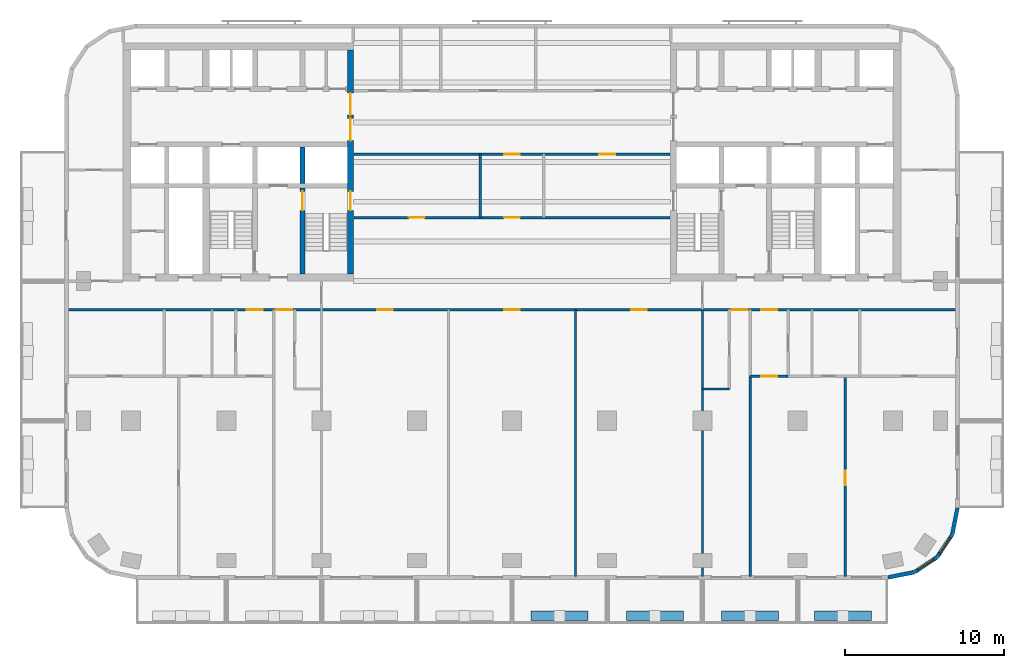
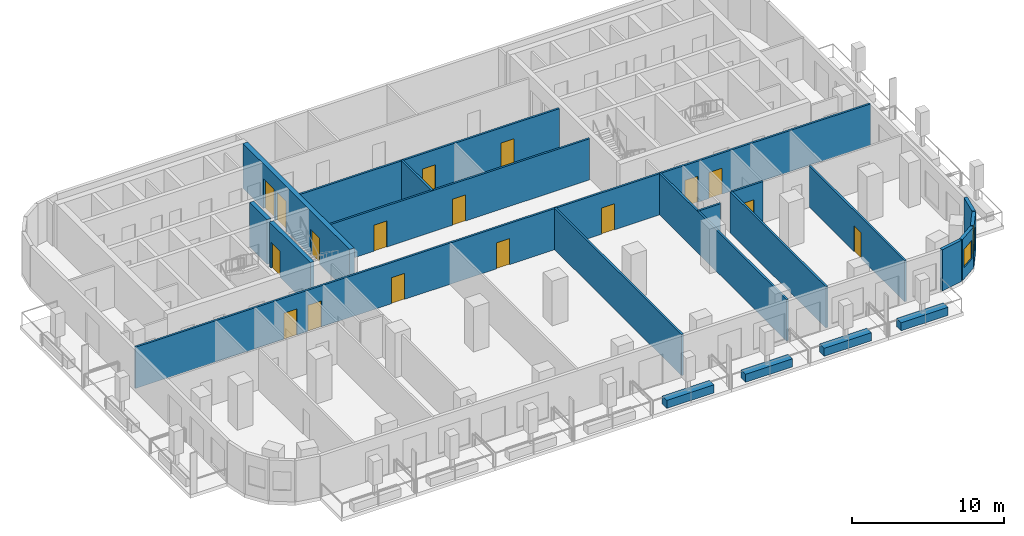
# One storey, part 4 of 11: 21 walls, 17 doors, 2 windows, 19 openings.
"""IFC4 building model written with IfcOpenShell, lengths in metres."""

from ifc_helpers import new_model, si_unit, direction, frame, frame_2d, origin, place, context, subcontext, project, spatial, rectangle, extrude, material, layer, layer_set, type_object, element, fill, save


model = new_model("IFC4")

# Units and contexts
model_context = context("Model", 3, precision=1e-05, world=origin(), true_north=direction((0.0, 1.0)))
body_context = subcontext(model_context, "Body", "Model", "MODEL_VIEW")
ifc_project = project(units=[si_unit("LENGTHUNIT", "METRE"), si_unit("AREAUNIT", "SQUARE_METRE"), si_unit("VOLUMEUNIT", "CUBIC_METRE"), si_unit("PLANEANGLEUNIT", "RADIAN"), si_unit("MASSUNIT", "GRAM", prefix="KILO")], contexts=[model_context])

# Site, building, storey
site_placement = place(None, origin())
site = spatial("IfcSite", under=ifc_project, at=site_placement, CompositionType="ELEMENT")
building_placement = place(site_placement, origin())
building = spatial("IfcBuilding", under=site, at=building_placement, Name="Torana Hotel and Residences", CompositionType="ELEMENT")
storey_placement = place(building_placement, frame((0.0, 0.0, 152.39990234375)))
storey = spatial("IfcBuildingStorey", under=building, at=storey_placement, Name="L39", CompositionType="ELEMENT", Elevation=152.39990234375)

# Wall
ifc_material_1 = material(Name="Concrete C70/85", Category="concrete")
ifc_layer_1 = layer(ifc_material_1, 0.300048828125)
ifc_layer_set_1 = layer_set([ifc_layer_1], Name="CORE WALL 300 C70/85")
wall_type_1 = type_object("IfcWallType", Name="CORE WALL 300 C70/85", PredefinedType="SHEAR", material=ifc_layer_set_1)
wall_1_placement = place(storey_placement, frame((-13.199951171875, -8.85009765625, 0.0), z_axis=(0.0, 0.0, 1.0), x_axis=(0.0, 1.0, 0.0)))
element("IfcWall", 1, at=wall_1_placement, inside=storey, type_object=wall_type_1, Name="Core wall W x3.05-S", PredefinedType="SHEAR", context=body_context, shape_type="SweptSolid", body=[
    extrude(rectangle(XDim=2.300048828125, YDim=0.300048828125, at=frame_2d((1.14990234375, 0.0))), origin(), (0.0, 0.0, 1.0), 3.60009765625),
])

# Wall, opening, door
wall_2_placement = place(storey_placement, frame((-13.199951171875, -14.550048828125, 0.0), z_axis=(0.0, 0.0, 1.0), x_axis=(0.0, 1.0, 0.0)))
wall_2 = element("IfcWall", 2, at=wall_2_placement, inside=storey, type_object=wall_type_1, Name="Core wall W x3.05-band", PredefinedType="SHEAR", context=body_context, shape_type="SweptSolid", body=[
    extrude(rectangle(XDim=5.400146484375, YDim=0.300048828125, at=frame_2d((2.7001953125, 0.0))), origin(), (0.0, 0.0, 1.0), 3.60009765625),
])
opening_1_placement = place(wall_2_placement, frame((4.0, 0.0, 0.0)))
opening_1 = element("IfcOpeningElement", 3, at=opening_1_placement, cuts=wall_2, Name="Opening L39-14", PredefinedType="OPENING", context=body_context, shape_type="SweptSolid", body=[
    extrude(rectangle(XDim=1.199951171875, YDim=2.10009765625, at=frame_2d((0.60009765625, 1.050048828125))), frame((0.0, 0.159912109375, 0.0), z_axis=(0.0, -1.0, 0.0), x_axis=(1.0, 0.0, 0.0)), (0.0, 0.0, 1.0), 0.320068359375),
])
ifc_material_2 = material(Name="Steel S235", Category="steel")
door_type_1 = type_object("IfcDoorType", Name="STAIR FIRE DOOR D3 1200x2100", OperationType="SINGLE_SWING_LEFT", PredefinedType="DOOR", material=ifc_material_2)
door_1_placement = place(opening_1_placement, frame((0.60009765625, 0.0, 0.0), z_axis=(0.0, 0.0, 1.0), x_axis=(-1.0, 0.0, 0.0)))
door_1 = element("IfcDoor", 4, at=door_1_placement, inside=storey, type_object=door_type_1, Name="Stair-A-lobby door L39", OperationType="SINGLE_SWING_RIGHT", OverallHeight=2.10009765625, OverallWidth=1.199951171875, PredefinedType="DOOR", context=body_context, shape_type="SweptSolid", body=[
    extrude(rectangle(XDim=1.199951171875, YDim=2.10009765625, at=frame_2d((0.0, 1.050048828125))), frame((0.0, -0.02490234375, 0.0), z_axis=(0.0, 1.0, 0.0), x_axis=(-1.0, 0.0, 0.0)), (0.0, 0.0, 1.0), 0.050048828125),
])
fill(opening_1, door_1)

# Wall, openings, doors
ifc_material_3 = material(Name="Concrete C70/85", Category="concrete")
ifc_layer_2 = layer(ifc_material_3, 0.35009765625)
ifc_layer_set_2 = layer_set([ifc_layer_2], Name="CORE WALL 350 C70/85")
wall_type_2 = type_object("IfcWallType", Name="CORE WALL 350 C70/85", PredefinedType="SHEAR", material=ifc_layer_set_2)
wall_3_placement = place(storey_placement, frame((-10.175048828125, -14.550048828125, 0.0), z_axis=(0.0, 0.0, 1.0), x_axis=(0.0, 1.0, 0.0)))
wall_3 = element("IfcWall", 5, at=wall_3_placement, inside=storey, type_object=wall_type_2, Name="Core wall W arch", PredefinedType="SHEAR", context=body_context, shape_type="SweptSolid", body=[
    extrude(rectangle(XDim=14.10009765625, YDim=0.35009765625, at=frame_2d((7.050048828125, 0.0))), origin(), (0.0, 0.0, 1.0), 3.60009765625),
])
opening_2_placement = place(wall_3_placement, frame((8.39990234375, 0.0, 0.0)))
opening_2 = element("IfcOpeningElement", 6, at=opening_2_placement, cuts=wall_3, Name="Opening L39-01", PredefinedType="OPENING", context=body_context, shape_type="SweptSolid", body=[
    extrude(rectangle(XDim=1.39990234375, YDim=2.39990234375, at=frame_2d((0.699951171875, 1.199951171875))), frame((0.0, 0.18505859375, 0.0), z_axis=(0.0, -1.0, 0.0), x_axis=(1.0, 0.0, 0.0)), (0.0, 0.0, 1.0), 0.3701171875),
])
opening_3_placement = place(wall_3_placement, frame((10.0, 0.0, 0.0)))
opening_3 = element("IfcOpeningElement", 7, at=opening_3_placement, cuts=wall_3, Name="Opening L39-02", PredefinedType="OPENING", context=body_context, shape_type="SweptSolid", body=[
    extrude(rectangle(XDim=1.39990234375, YDim=2.39990234375, at=frame_2d((0.699951171875, 1.199951171875))), frame((0.0, 0.18505859375, 0.0), z_axis=(0.0, -1.0, 0.0), x_axis=(1.0, 0.0, 0.0)), (0.0, 0.0, 1.0), 0.3701171875),
])
opening_4_placement = place(wall_3_placement, frame((4.0, 0.0, 0.0)))
opening_4 = element("IfcOpeningElement", 8, at=opening_4_placement, cuts=wall_3, Name="Opening L39-03", PredefinedType="OPENING", context=body_context, shape_type="SweptSolid", body=[
    extrude(rectangle(XDim=1.199951171875, YDim=2.10009765625, at=frame_2d((0.60009765625, 1.050048828125))), frame((0.0, 0.18505859375, 0.0), z_axis=(0.0, -1.0, 0.0), x_axis=(1.0, 0.0, 0.0)), (0.0, 0.0, 1.0), 0.3701171875),
])
ifc_material_4 = material(Name="Steel S235", Category="steel")
door_type_2 = type_object("IfcDoorType", Name="LOBBY FIRE DOOR D4 1400x2400", OperationType="DOUBLE_DOOR_SINGLE_SWING", PredefinedType="DOOR", material=ifc_material_4)
door_2_placement = place(opening_2_placement, origin())
door_2 = element("IfcDoor", 9, at=door_2_placement, inside=storey, type_object=door_type_2, Name="Lobby-1 door L39", OperationType="DOUBLE_DOOR_SINGLE_SWING", OverallHeight=2.39990234375, OverallWidth=1.39990234375, PredefinedType="DOOR", context=body_context, shape_type="SweptSolid", body=[
    extrude(rectangle(XDim=1.39990234375, YDim=2.39990234375, at=frame_2d((0.699951171875, 1.199951171875))), frame((0.0, 0.02490234375, 0.0), z_axis=(0.0, -1.0, 0.0), x_axis=(1.0, 0.0, 0.0)), (0.0, 0.0, 1.0), 0.050048828125),
])
fill(opening_2, door_2)
door_3_placement = place(opening_3_placement, origin())
door_3 = element("IfcDoor", 10, at=door_3_placement, inside=storey, type_object=door_type_2, Name="Lobby-2 door L39", OperationType="DOUBLE_DOOR_SINGLE_SWING", OverallHeight=2.39990234375, OverallWidth=1.39990234375, PredefinedType="DOOR", context=body_context, shape_type="SweptSolid", body=[
    extrude(rectangle(XDim=1.39990234375, YDim=2.39990234375, at=frame_2d((0.699951171875, 1.199951171875))), frame((0.0, 0.02490234375, 0.0), z_axis=(0.0, -1.0, 0.0), x_axis=(1.0, 0.0, 0.0)), (0.0, 0.0, 1.0), 0.050048828125),
])
fill(opening_3, door_3)
door_4_placement = place(opening_4_placement, origin())
door_4 = element("IfcDoor", 11, at=door_4_placement, inside=storey, type_object=door_type_1, Name="Stair-A door L39", OperationType="SINGLE_SWING_LEFT", OverallHeight=2.10009765625, OverallWidth=1.199951171875, PredefinedType="DOOR", context=body_context, shape_type="SweptSolid", body=[
    extrude(rectangle(XDim=1.199951171875, YDim=2.10009765625, at=frame_2d((0.60009765625, 1.050048828125))), frame((0.0, 0.02490234375, 0.0), z_axis=(0.0, -1.0, 0.0), x_axis=(1.0, 0.0, 0.0)), (0.0, 0.0, 1.0), 0.050048828125),
])
fill(opening_4, door_4)

# Wall
ifc_material_5 = material(Name="Black aluminium composite panel", Category="aluminium")
ifc_layer_3 = layer(ifc_material_5, 0.00390625, Name="Cladding", Category="cladding")
ifc_material_6 = material(Name="Ventilated air cavity")
ifc_layer_4 = layer(ifc_material_6, 0.0400390625, Name="Ventilated cavity", Category="cavity")
ifc_material_7 = material(Name="Mineral wool insulation")
ifc_layer_5 = layer(ifc_material_7, 0.090087890625, Name="Insulation", Category="insulation")
ifc_material_8 = material(Name="Steel S280GD", Category="steel")
ifc_layer_6 = layer(ifc_material_8, 0.092041015625, Name="Steel stud frame", Category="structure")
ifc_material_9 = material(Name="Fire rated plasterboard")
ifc_layer_7 = layer(ifc_material_9, 0.011962890625, Name="Inner board", Category="finish")
ifc_layer_8 = layer(ifc_material_9, 0.011962890625, Name="Second board", Category="finish")
ifc_layer_set_3 = layer_set([ifc_layer_3, ifc_layer_4, ifc_layer_5, ifc_layer_6, ifc_layer_7, ifc_layer_8], Name="EW1 EXTERNAL WALL BLACK METAL CLAD 250")
wall_type_3 = type_object("IfcWallType", Name="EW1 EXTERNAL WALL BLACK METAL CLAD 250", PredefinedType="SOLIDWALL", material=ifc_layer_set_3)
wall_4_placement = place(storey_placement, frame((23.69970703125, -33.672607421875, 0.0), z_axis=(0.0, 0.0, 1.0), x_axis=(0.980775640221, 0.19513878023, 0.0)))
element("IfcWall", 12, at=wall_4_placement, inside=storey, type_object=wall_type_3, Name="External wall L39 e0.15", PredefinedType="SOLIDWALL", context=body_context, shape_type="SweptSolid", body=[
    extrude(rectangle(XDim=1.681396484375, YDim=0.25, at=frame_2d((0.8408203125, 0.0))), origin(), (0.0, 0.0, 1.0), 3.320068359375),
])

# Wall, opening, window
wall_5_placement = place(storey_placement, frame((25.39404296875, -33.325927734375, 0.0), z_axis=(0.0, 0.0, 1.0), x_axis=(0.831482937015, 0.55555029066, 0.0)))
wall_5 = element("IfcWall", 13, at=wall_5_placement, inside=storey, type_object=wall_type_3, Name="External wall L39 e0.16", PredefinedType="SOLIDWALL", context=body_context, shape_type="SweptSolid", body=[
    extrude(rectangle(XDim=1.65625, YDim=0.25, at=frame_2d((0.828125, 0.0))), origin(), (0.0, 0.0, 1.0), 3.320068359375),
])
opening_5_placement = place(wall_5_placement, frame((0.228271484375, 0.0, 0.89990234375)))
opening_5 = element("IfcOpeningElement", 14, at=opening_5_placement, cuts=wall_5, Name="Opening W5", PredefinedType="OPENING", context=body_context, shape_type="SweptSolid", body=[
    extrude(rectangle(XDim=1.199951171875, YDim=1.5, at=frame_2d((0.60009765625, 0.75))), frame((0.0, 0.135009765625, 0.0), z_axis=(0.0, -1.0, 0.0), x_axis=(1.0, 0.0, 0.0)), (0.0, 0.0, 1.0), 0.27001953125),
])
ifc_material_10 = material(Name="Dark glass in black aluminium frame", Category="aluminium")
window_type = type_object("IfcWindowType", Name="W5 CORNER FACET WINDOW 1200x1500", PartitioningType="SINGLE_PANEL", PredefinedType="WINDOW", material=ifc_material_10)
window_1_placement = place(opening_5_placement, origin())
window_1 = element("IfcWindow", 15, at=window_1_placement, inside=storey, type_object=window_type, Name="Window L39 e0.16", OverallHeight=1.5, OverallWidth=1.199951171875, PartitioningType="SINGLE_PANEL", PredefinedType="WINDOW", context=body_context, shape_type="SweptSolid", body=[
    extrude(rectangle(XDim=1.199951171875, YDim=1.5, at=frame_2d((0.60009765625, 0.75))), frame((0.0, 0.030029296875, 0.0), z_axis=(0.0, -1.0, 0.0), x_axis=(1.0, 0.0, 0.0)), (0.0, 0.0, 1.0), 0.06005859375),
])
fill(opening_5, window_1)

wall_6_placement = place(storey_placement, frame((26.8056640625, -32.37109375, 0.0), z_axis=(0.0, 0.0, 1.0), x_axis=(0.55555029066, 0.831482937015, 0.0)))
wall_6 = element("IfcWall", 16, at=wall_6_placement, inside=storey, type_object=wall_type_3, Name="External wall L39 e0.17", PredefinedType="SOLIDWALL", context=body_context, shape_type="SweptSolid", body=[
    extrude(rectangle(XDim=1.65625, YDim=0.25, at=frame_2d((0.828125, 0.0))), origin(), (0.0, 0.0, 1.0), 3.320068359375),
])
opening_6_placement = place(wall_6_placement, frame((0.228271484375, 0.0, 0.89990234375)))
opening_6 = element("IfcOpeningElement", 17, at=opening_6_placement, cuts=wall_6, Name="Opening W5", PredefinedType="OPENING", context=body_context, shape_type="SweptSolid", body=[
    extrude(rectangle(XDim=1.199951171875, YDim=1.5, at=frame_2d((0.60009765625, 0.75))), frame((0.0, 0.135009765625, 0.0), z_axis=(0.0, -1.0, 0.0), x_axis=(1.0, 0.0, 0.0)), (0.0, 0.0, 1.0), 0.27001953125),
])
window_2_placement = place(opening_6_placement, origin())
window_2 = element("IfcWindow", 18, at=window_2_placement, inside=storey, type_object=window_type, Name="Window L39 e0.17", OverallHeight=1.5, OverallWidth=1.199951171875, PartitioningType="SINGLE_PANEL", PredefinedType="WINDOW", context=body_context, shape_type="SweptSolid", body=[
    extrude(rectangle(XDim=1.199951171875, YDim=1.5, at=frame_2d((0.60009765625, 0.75))), frame((0.0, 0.030029296875, 0.0), z_axis=(0.0, -1.0, 0.0), x_axis=(1.0, 0.0, 0.0)), (0.0, 0.0, 1.0), 0.06005859375),
])
fill(opening_6, window_2)

# Walls
wall_7_placement = place(storey_placement, frame((27.74462890625, -30.948974609375, 0.0), z_axis=(0.0, 0.0, 1.0), x_axis=(0.194999110559, 0.980803419081, 0.0)))
element("IfcWall", 19, at=wall_7_placement, inside=storey, type_object=wall_type_3, Name="External wall L39 e0.18", PredefinedType="SOLIDWALL", context=body_context, shape_type="SweptSolid", body=[
    extrude(rectangle(XDim=1.681396484375, YDim=0.25, at=frame_2d((0.8408203125, 0.0))), origin(), (0.0, 0.0, 1.0), 3.320068359375),
])
ifc_material_11 = material(Name="Gypsum plaster")
ifc_layer_9 = layer(ifc_material_11, 0.014892578125, Name="Plaster", Category="finish")
ifc_material_12 = material(Name="Concrete blockwork", Category="masonry")
ifc_layer_10 = layer(ifc_material_12, 0.1201171875, Name="Blockwork", Category="structure")
ifc_layer_11 = layer(ifc_material_11, 0.014892578125, Name="Plaster", Category="finish")
ifc_layer_set_4 = layer_set([ifc_layer_9, ifc_layer_10, ifc_layer_11], Name="FIRE PARTITION 150 BLOCKWORK")
wall_type_4 = type_object("IfcWallType", Name="FIRE PARTITION 150 BLOCKWORK", PredefinedType="PARTITIONING", material=ifc_layer_set_4)
wall_8_placement = place(storey_placement, frame((-2.0, -11.0, 0.0), z_axis=(0.0, 0.0, 1.0), x_axis=(0.0, 1.0, 0.0)))
element("IfcWall", 20, at=wall_8_placement, inside=storey, type_object=wall_type_4, Name="Partition L39", PredefinedType="PARTITIONING", context=body_context, shape_type="SweptSolid", body=[
    extrude(rectangle(XDim=4.0, YDim=0.14990234375, at=frame_2d((2.0, 0.0))), origin(), (0.0, 0.0, 1.0), 3.320068359375),
])

# Wall, opening, door
wall_9_placement = place(storey_placement, frame((15.0, -21.0, 0.0), z_axis=(0.0, 0.0, 1.0), x_axis=(1.0, 0.0, 0.0)))
wall_9 = element("IfcWall", 21, at=wall_9_placement, inside=storey, type_object=wall_type_4, Name="Partition L39", PredefinedType="PARTITIONING", context=body_context, shape_type="SweptSolid", body=[
    extrude(rectangle(XDim=2.39990234375, YDim=0.14990234375, at=frame_2d((1.199951171875, 0.0))), origin(), (0.0, 0.0, 1.0), 3.320068359375),
])
opening_7_placement = place(wall_9_placement, frame((0.699951171875, 0.0, 0.0)))
opening_7 = element("IfcOpeningElement", 22, at=opening_7_placement, cuts=wall_9, Name="Opening L39-60", PredefinedType="OPENING", context=body_context, shape_type="SweptSolid", body=[
    extrude(rectangle(XDim=1.0, YDim=2.10009765625, at=frame_2d((0.5, 1.050048828125))), frame((0.0, 0.0849609375, 0.0), z_axis=(0.0, -1.0, 0.0), x_axis=(1.0, 0.0, 0.0)), (0.0, 0.0, 1.0), 0.169921875),
])
ifc_material_13 = material(Name="Steel S235", Category="steel")
door_type_3 = type_object("IfcDoorType", Name="ENTRY FIRE DOOR D6 1000x2100", OperationType="SINGLE_SWING_LEFT", PredefinedType="DOOR", material=ifc_material_13)
door_5_placement = place(opening_7_placement, frame((0.5, 0.0, 0.0), z_axis=(0.0, 0.0, 1.0), x_axis=(-1.0, 0.0, 0.0)))
door_5 = element("IfcDoor", 23, at=door_5_placement, inside=storey, type_object=door_type_3, Name="Door L39", OperationType="SINGLE_SWING_LEFT", OverallHeight=2.10009765625, OverallWidth=1.0, PredefinedType="DOOR", context=body_context, shape_type="SweptSolid", body=[
    extrude(rectangle(XDim=1.0, YDim=2.10009765625, at=frame_2d((0.0, 1.050048828125))), frame((0.0, -0.02490234375, 0.0), z_axis=(0.0, 1.0, 0.0), x_axis=(-1.0, 0.0, 0.0)), (0.0, 0.0, 1.0), 0.050048828125),
])
fill(opening_7, door_5)

# Wall, openings, doors
wall_10_placement = place(storey_placement, frame((-28.02001953125, -16.800048828125, 0.0), z_axis=(0.0, 0.0, 1.0), x_axis=(1.0, 0.0, 0.0)))
wall_10 = element("IfcWall", 24, at=wall_10_placement, inside=storey, type_object=wall_type_4, Name="Partition L39", PredefinedType="PARTITIONING", context=body_context, shape_type="SweptSolid", body=[
    extrude(rectangle(XDim=56.0400390625, YDim=0.14990234375, at=frame_2d((28.02001953125, 0.0))), origin(), (0.0, 0.0, 1.0), 3.320068359375),
])
opening_8_placement = place(wall_10_placement, frame((13.169921875, 0.0, 0.0)))
opening_8 = element("IfcOpeningElement", 25, at=opening_8_placement, cuts=wall_10, Name="Opening L39-34", PredefinedType="OPENING", context=body_context, shape_type="SweptSolid", body=[
    extrude(rectangle(XDim=1.0, YDim=2.10009765625, at=frame_2d((0.5, 1.050048828125))), frame((0.0, 0.0849609375, 0.0), z_axis=(0.0, -1.0, 0.0), x_axis=(1.0, 0.0, 0.0)), (0.0, 0.0, 1.0), 0.169921875),
])
opening_9_placement = place(wall_10_placement, frame((11.320068359375, 0.0, 0.0)))
opening_9 = element("IfcOpeningElement", 26, at=opening_9_placement, cuts=wall_10, Name="Opening L39-35", PredefinedType="OPENING", context=body_context, shape_type="SweptSolid", body=[
    extrude(rectangle(XDim=1.0, YDim=2.10009765625, at=frame_2d((0.5, 1.050048828125))), frame((0.0, 0.0849609375, 0.0), z_axis=(0.0, -1.0, 0.0), x_axis=(1.0, 0.0, 0.0)), (0.0, 0.0, 1.0), 0.169921875),
])
opening_10_placement = place(wall_10_placement, frame((41.8701171875, 0.0, 0.0)))
opening_10 = element("IfcOpeningElement", 27, at=opening_10_placement, cuts=wall_10, Name="Opening L39-38", PredefinedType="OPENING", context=body_context, shape_type="SweptSolid", body=[
    extrude(rectangle(XDim=1.0, YDim=2.10009765625, at=frame_2d((0.5, 1.050048828125))), frame((0.0, 0.0849609375, 0.0), z_axis=(0.0, -1.0, 0.0), x_axis=(1.0, 0.0, 0.0)), (0.0, 0.0, 1.0), 0.169921875),
])
opening_11_placement = place(wall_10_placement, frame((43.719970703125, 0.0, 0.0)))
opening_11 = element("IfcOpeningElement", 28, at=opening_11_placement, cuts=wall_10, Name="Opening L39-39", PredefinedType="OPENING", context=body_context, shape_type="SweptSolid", body=[
    extrude(rectangle(XDim=1.0, YDim=2.10009765625, at=frame_2d((0.5, 1.050048828125))), frame((0.0, 0.0849609375, 0.0), z_axis=(0.0, -1.0, 0.0), x_axis=(1.0, 0.0, 0.0)), (0.0, 0.0, 1.0), 0.169921875),
])
opening_12_placement = place(wall_10_placement, frame((19.52001953125, 0.0, 0.0)))
opening_12 = element("IfcOpeningElement", 29, at=opening_12_placement, cuts=wall_10, Name="Opening L39-42", PredefinedType="OPENING", context=body_context, shape_type="SweptSolid", body=[
    extrude(rectangle(XDim=1.0, YDim=2.10009765625, at=frame_2d((0.5, 1.050048828125))), frame((0.0, 0.0849609375, 0.0), z_axis=(0.0, -1.0, 0.0), x_axis=(1.0, 0.0, 0.0)), (0.0, 0.0, 1.0), 0.169921875),
])
opening_13_placement = place(wall_10_placement, frame((27.52001953125, 0.0, 0.0)))
opening_13 = element("IfcOpeningElement", 30, at=opening_13_placement, cuts=wall_10, Name="Opening L39-43", PredefinedType="OPENING", context=body_context, shape_type="SweptSolid", body=[
    extrude(rectangle(XDim=1.0, YDim=2.10009765625, at=frame_2d((0.5, 1.050048828125))), frame((0.0, 0.0849609375, 0.0), z_axis=(0.0, -1.0, 0.0), x_axis=(1.0, 0.0, 0.0)), (0.0, 0.0, 1.0), 0.169921875),
])
opening_14_placement = place(wall_10_placement, frame((35.52001953125, 0.0, 0.0)))
opening_14 = element("IfcOpeningElement", 31, at=opening_14_placement, cuts=wall_10, Name="Opening L39-44", PredefinedType="OPENING", context=body_context, shape_type="SweptSolid", body=[
    extrude(rectangle(XDim=1.0, YDim=2.10009765625, at=frame_2d((0.5, 1.050048828125))), frame((0.0, 0.0849609375, 0.0), z_axis=(0.0, -1.0, 0.0), x_axis=(1.0, 0.0, 0.0)), (0.0, 0.0, 1.0), 0.169921875),
])
door_6_placement = place(opening_8_placement, frame((0.5, 0.0, 0.0), z_axis=(0.0, 0.0, 1.0), x_axis=(-1.0, 0.0, 0.0)))
door_6 = element("IfcDoor", 32, at=door_6_placement, inside=storey, type_object=door_type_3, Name="Door L39", OperationType="SINGLE_SWING_LEFT", OverallHeight=2.10009765625, OverallWidth=1.0, PredefinedType="DOOR", context=body_context, shape_type="SweptSolid", body=[
    extrude(rectangle(XDim=1.0, YDim=2.10009765625, at=frame_2d((0.0, 1.050048828125))), frame((0.0, -0.02490234375, 0.0), z_axis=(0.0, 1.0, 0.0), x_axis=(-1.0, 0.0, 0.0)), (0.0, 0.0, 1.0), 0.050048828125),
])
fill(opening_8, door_6)
door_7_placement = place(opening_9_placement, origin())
door_7 = element("IfcDoor", 33, at=door_7_placement, inside=storey, type_object=door_type_3, Name="Door L39", OperationType="SINGLE_SWING_RIGHT", OverallHeight=2.10009765625, OverallWidth=1.0, PredefinedType="DOOR", context=body_context, shape_type="SweptSolid", body=[
    extrude(rectangle(XDim=1.0, YDim=2.10009765625, at=frame_2d((0.5, 1.050048828125))), frame((0.0, 0.02490234375, 0.0), z_axis=(0.0, -1.0, 0.0), x_axis=(1.0, 0.0, 0.0)), (0.0, 0.0, 1.0), 0.050048828125),
])
fill(opening_9, door_7)
door_8_placement = place(opening_10_placement, frame((0.5, 0.0, 0.0), z_axis=(0.0, 0.0, 1.0), x_axis=(-1.0, 0.0, 0.0)))
door_8 = element("IfcDoor", 34, at=door_8_placement, inside=storey, type_object=door_type_3, Name="Door L39", OperationType="SINGLE_SWING_LEFT", OverallHeight=2.10009765625, OverallWidth=1.0, PredefinedType="DOOR", context=body_context, shape_type="SweptSolid", body=[
    extrude(rectangle(XDim=1.0, YDim=2.10009765625, at=frame_2d((0.0, 1.050048828125))), frame((0.0, -0.02490234375, 0.0), z_axis=(0.0, 1.0, 0.0), x_axis=(-1.0, 0.0, 0.0)), (0.0, 0.0, 1.0), 0.050048828125),
])
fill(opening_10, door_8)
door_9_placement = place(opening_11_placement, origin())
door_9 = element("IfcDoor", 35, at=door_9_placement, inside=storey, type_object=door_type_3, Name="Door L39", OperationType="SINGLE_SWING_RIGHT", OverallHeight=2.10009765625, OverallWidth=1.0, PredefinedType="DOOR", context=body_context, shape_type="SweptSolid", body=[
    extrude(rectangle(XDim=1.0, YDim=2.10009765625, at=frame_2d((0.5, 1.050048828125))), frame((0.0, 0.02490234375, 0.0), z_axis=(0.0, -1.0, 0.0), x_axis=(1.0, 0.0, 0.0)), (0.0, 0.0, 1.0), 0.050048828125),
])
fill(opening_11, door_9)
door_10_placement = place(opening_12_placement, frame((0.5, 0.0, 0.0), z_axis=(0.0, 0.0, 1.0), x_axis=(-1.0, 0.0, 0.0)))
door_10 = element("IfcDoor", 36, at=door_10_placement, inside=storey, type_object=door_type_3, Name="Door L39", OperationType="SINGLE_SWING_LEFT", OverallHeight=2.10009765625, OverallWidth=1.0, PredefinedType="DOOR", context=body_context, shape_type="SweptSolid", body=[
    extrude(rectangle(XDim=1.0, YDim=2.10009765625, at=frame_2d((0.0, 1.050048828125))), frame((0.0, -0.02490234375, 0.0), z_axis=(0.0, 1.0, 0.0), x_axis=(-1.0, 0.0, 0.0)), (0.0, 0.0, 1.0), 0.050048828125),
])
fill(opening_12, door_10)
door_11_placement = place(opening_13_placement, frame((0.5, 0.0, 0.0), z_axis=(0.0, 0.0, 1.0), x_axis=(-1.0, 0.0, 0.0)))
door_11 = element("IfcDoor", 37, at=door_11_placement, inside=storey, type_object=door_type_3, Name="Door L39", OperationType="SINGLE_SWING_LEFT", OverallHeight=2.10009765625, OverallWidth=1.0, PredefinedType="DOOR", context=body_context, shape_type="SweptSolid", body=[
    extrude(rectangle(XDim=1.0, YDim=2.10009765625, at=frame_2d((0.0, 1.050048828125))), frame((0.0, -0.02490234375, 0.0), z_axis=(0.0, 1.0, 0.0), x_axis=(-1.0, 0.0, 0.0)), (0.0, 0.0, 1.0), 0.050048828125),
])
fill(opening_13, door_11)
door_12_placement = place(opening_14_placement, frame((0.5, 0.0, 0.0), z_axis=(0.0, 0.0, 1.0), x_axis=(-1.0, 0.0, 0.0)))
door_12 = element("IfcDoor", 38, at=door_12_placement, inside=storey, type_object=door_type_3, Name="Door L39", OperationType="SINGLE_SWING_LEFT", OverallHeight=2.10009765625, OverallWidth=1.0, PredefinedType="DOOR", context=body_context, shape_type="SweptSolid", body=[
    extrude(rectangle(XDim=1.0, YDim=2.10009765625, at=frame_2d((0.0, 1.050048828125))), frame((0.0, -0.02490234375, 0.0), z_axis=(0.0, 1.0, 0.0), x_axis=(-1.0, 0.0, 0.0)), (0.0, 0.0, 1.0), 0.050048828125),
])
fill(opening_14, door_12)

wall_11_placement = place(storey_placement, frame((-9.949951171875, -11.0, 0.0), z_axis=(0.0, 0.0, 1.0), x_axis=(1.0, 0.0, 0.0)))
wall_11 = element("IfcWall", 39, at=wall_11_placement, inside=storey, type_object=wall_type_4, Name="Partition L39", PredefinedType="PARTITIONING", context=body_context, shape_type="SweptSolid", body=[
    extrude(rectangle(XDim=19.89990234375, YDim=0.14990234375, at=frame_2d((9.949951171875, 0.0))), origin(), (0.0, 0.0, 1.0), 3.320068359375),
])
opening_15_placement = place(wall_11_placement, frame((9.449951171875, 0.0, 0.0)))
opening_15 = element("IfcOpeningElement", 40, at=opening_15_placement, cuts=wall_11, Name="Opening L39-41", PredefinedType="OPENING", context=body_context, shape_type="SweptSolid", body=[
    extrude(rectangle(XDim=1.0, YDim=2.10009765625, at=frame_2d((0.5, 1.050048828125))), frame((0.0, 0.0849609375, 0.0), z_axis=(0.0, -1.0, 0.0), x_axis=(1.0, 0.0, 0.0)), (0.0, 0.0, 1.0), 0.169921875),
])
opening_16_placement = place(wall_11_placement, frame((3.449951171875, 0.0, 0.0)))
opening_16 = element("IfcOpeningElement", 41, at=opening_16_placement, cuts=wall_11, Name="Opening L39-45", PredefinedType="OPENING", context=body_context, shape_type="SweptSolid", body=[
    extrude(rectangle(XDim=1.0, YDim=2.10009765625, at=frame_2d((0.5, 1.050048828125))), frame((0.0, 0.0849609375, 0.0), z_axis=(0.0, -1.0, 0.0), x_axis=(1.0, 0.0, 0.0)), (0.0, 0.0, 1.0), 0.169921875),
])
door_13_placement = place(opening_15_placement, origin())
door_13 = element("IfcDoor", 42, at=door_13_placement, inside=storey, type_object=door_type_3, Name="Door L39", OperationType="SINGLE_SWING_RIGHT", OverallHeight=2.10009765625, OverallWidth=1.0, PredefinedType="DOOR", context=body_context, shape_type="SweptSolid", body=[
    extrude(rectangle(XDim=1.0, YDim=2.10009765625, at=frame_2d((0.5, 1.050048828125))), frame((0.0, 0.02490234375, 0.0), z_axis=(0.0, -1.0, 0.0), x_axis=(1.0, 0.0, 0.0)), (0.0, 0.0, 1.0), 0.050048828125),
])
fill(opening_15, door_13)
door_14_placement = place(opening_16_placement, origin())
door_14 = element("IfcDoor", 43, at=door_14_placement, inside=storey, type_object=door_type_3, Name="Door L39", OperationType="SINGLE_SWING_RIGHT", OverallHeight=2.10009765625, OverallWidth=1.0, PredefinedType="DOOR", context=body_context, shape_type="SweptSolid", body=[
    extrude(rectangle(XDim=1.0, YDim=2.10009765625, at=frame_2d((0.5, 1.050048828125))), frame((0.0, 0.02490234375, 0.0), z_axis=(0.0, -1.0, 0.0), x_axis=(1.0, 0.0, 0.0)), (0.0, 0.0, 1.0), 0.050048828125),
])
fill(opening_16, door_14)

wall_12_placement = place(storey_placement, frame((-9.949951171875, -7.0, 0.0), z_axis=(0.0, 0.0, 1.0), x_axis=(1.0, 0.0, 0.0)))
wall_12 = element("IfcWall", 44, at=wall_12_placement, inside=storey, type_object=wall_type_4, Name="Partition L39", PredefinedType="PARTITIONING", context=body_context, shape_type="SweptSolid", body=[
    extrude(rectangle(XDim=19.89990234375, YDim=0.14990234375, at=frame_2d((9.949951171875, 0.0))), origin(), (0.0, 0.0, 1.0), 3.320068359375),
])
opening_17_placement = place(wall_12_placement, frame((9.449951171875, 0.0, 0.0)))
opening_17 = element("IfcOpeningElement", 45, at=opening_17_placement, cuts=wall_12, Name="Opening L39-46", PredefinedType="OPENING", context=body_context, shape_type="SweptSolid", body=[
    extrude(rectangle(XDim=1.0, YDim=2.10009765625, at=frame_2d((0.5, 1.050048828125))), frame((0.0, 0.0849609375, 0.0), z_axis=(0.0, -1.0, 0.0), x_axis=(1.0, 0.0, 0.0)), (0.0, 0.0, 1.0), 0.169921875),
])
opening_18_placement = place(wall_12_placement, frame((15.449951171875, 0.0, 0.0)))
opening_18 = element("IfcOpeningElement", 46, at=opening_18_placement, cuts=wall_12, Name="Opening L39-47", PredefinedType="OPENING", context=body_context, shape_type="SweptSolid", body=[
    extrude(rectangle(XDim=1.0, YDim=2.10009765625, at=frame_2d((0.5, 1.050048828125))), frame((0.0, 0.0849609375, 0.0), z_axis=(0.0, -1.0, 0.0), x_axis=(1.0, 0.0, 0.0)), (0.0, 0.0, 1.0), 0.169921875),
])
door_15_placement = place(opening_17_placement, origin())
door_15 = element("IfcDoor", 47, at=door_15_placement, inside=storey, type_object=door_type_3, Name="Door L39", OperationType="SINGLE_SWING_RIGHT", OverallHeight=2.10009765625, OverallWidth=1.0, PredefinedType="DOOR", context=body_context, shape_type="SweptSolid", body=[
    extrude(rectangle(XDim=1.0, YDim=2.10009765625, at=frame_2d((0.5, 1.050048828125))), frame((0.0, 0.02490234375, 0.0), z_axis=(0.0, -1.0, 0.0), x_axis=(1.0, 0.0, 0.0)), (0.0, 0.0, 1.0), 0.050048828125),
])
fill(opening_17, door_15)
door_16_placement = place(opening_18_placement, frame((0.5, 0.0, 0.0), z_axis=(0.0, 0.0, 1.0), x_axis=(-1.0, 0.0, 0.0)))
door_16 = element("IfcDoor", 48, at=door_16_placement, inside=storey, type_object=door_type_3, Name="Door L39", OperationType="SINGLE_SWING_LEFT", OverallHeight=2.10009765625, OverallWidth=1.0, PredefinedType="DOOR", context=body_context, shape_type="SweptSolid", body=[
    extrude(rectangle(XDim=1.0, YDim=2.10009765625, at=frame_2d((0.0, 1.050048828125))), frame((0.0, -0.02490234375, 0.0), z_axis=(0.0, 1.0, 0.0), x_axis=(-1.0, 0.0, 0.0)), (0.0, 0.0, 1.0), 0.050048828125),
])
fill(opening_18, door_16)

# Wall, opening, door
ifc_material_14 = material(Name="Gypsum plasterboard")
ifc_layer_12 = layer(ifc_material_14, 0.012451171875, Name="Plasterboard", Category="finish")
ifc_layer_13 = layer(ifc_material_14, 0.012451171875, Name="Plasterboard", Category="finish")
ifc_layer_14 = layer(ifc_material_8, 0.10009765625, Name="Steel studs with mineral wool", Category="insulation")
ifc_layer_15 = layer(ifc_material_14, 0.012451171875, Name="Plasterboard", Category="finish")
ifc_layer_16 = layer(ifc_material_14, 0.012451171875, Name="Plasterboard", Category="finish")
ifc_layer_set_5 = layer_set([ifc_layer_12, ifc_layer_13, ifc_layer_14, ifc_layer_15, ifc_layer_16], Name="PARTITION 150 PLASTERBOARD")
wall_type_5 = type_object("IfcWallType", Name="PARTITION 150 PLASTERBOARD", PredefinedType="PARTITIONING", material=ifc_layer_set_5)
wall_13_placement = place(storey_placement, frame((21.0, -33.6201171875, 0.0), z_axis=(0.0, 0.0, 1.0), x_axis=(0.0, 1.0, 0.0)))
wall_13 = element("IfcWall", 49, at=wall_13_placement, inside=storey, type_object=wall_type_5, Name="Partition L39", PredefinedType="PARTITIONING", context=body_context, shape_type="SweptSolid", body=[
    extrude(rectangle(XDim=12.6201171875, YDim=0.14990234375, at=frame_2d((6.31005859375, 0.0))), origin(), (0.0, 0.0, 1.0), 3.320068359375),
])
opening_19_placement = place(wall_13_placement, frame((5.77001953125, 0.0, 0.0)))
opening_19 = element("IfcOpeningElement", 50, at=opening_19_placement, cuts=wall_13, Name="Opening L39-63", PredefinedType="OPENING", context=body_context, shape_type="SweptSolid", body=[
    extrude(rectangle(XDim=0.89990234375, YDim=2.10009765625, at=frame_2d((0.449951171875, 1.050048828125))), frame((0.0, 0.0849609375, 0.0), z_axis=(0.0, -1.0, 0.0), x_axis=(1.0, 0.0, 0.0)), (0.0, 0.0, 1.0), 0.169921875),
])
ifc_material_15 = material(Name="Timber door, oiled ash", Category="wood")
door_type_4 = type_object("IfcDoorType", Name="ROOM DOOR D7 900x2100", OperationType="SINGLE_SWING_LEFT", PredefinedType="DOOR", material=ifc_material_15)
door_17_placement = place(opening_19_placement, origin())
door_17 = element("IfcDoor", 51, at=door_17_placement, inside=storey, type_object=door_type_4, Name="Door L39", OperationType="SINGLE_SWING_RIGHT", OverallHeight=2.10009765625, OverallWidth=0.89990234375, PredefinedType="DOOR", context=body_context, shape_type="SweptSolid", body=[
    extrude(rectangle(XDim=0.89990234375, YDim=2.10009765625, at=frame_2d((0.449951171875, 1.050048828125))), frame((0.0, 0.02490234375, 0.0), z_axis=(0.0, -1.0, 0.0), x_axis=(1.0, 0.0, 0.0)), (0.0, 0.0, 1.0), 0.050048828125),
])
fill(opening_19, door_17)

# Walls
wall_14_placement = place(storey_placement, frame((15.0, -33.6201171875, 0.0), z_axis=(0.0, 0.0, 1.0), x_axis=(0.0, 1.0, 0.0)))
element("IfcWall", 52, at=wall_14_placement, inside=storey, type_object=wall_type_5, Name="Partition L39", PredefinedType="PARTITIONING", context=body_context, shape_type="SweptSolid", body=[
    extrude(rectangle(XDim=12.6201171875, YDim=0.14990234375, at=frame_2d((6.31005859375, 0.0))), origin(), (0.0, 0.0, 1.0), 3.320068359375),
])
for number, where, z_axis, x_axis, name in (
    (53, (12.0, -33.6201171875, 0.0), (0.0, 0.0, 1.0), (0.0, 1.0, 0.0), "Partition L39"),
    (54, (4.0, -33.6201171875, 0.0), (0.0, 0.0, 1.0), (0.0, 1.0, 0.0), "Partition L39"),
):
    element("IfcWall", number, at=place(storey_placement, frame(where, z_axis=z_axis, x_axis=x_axis)), inside=storey, type_object=wall_type_5, Name=name, PredefinedType="PARTITIONING", context=body_context, shape_type="SweptSolid", body=[
        extrude(rectangle(XDim=16.820068359375, YDim=0.14990234375, at=frame_2d((8.41015625, 0.0))), origin(), (0.0, 0.0, 1.0), 3.320068359375),
    ])
wall_15_placement = place(storey_placement, frame((12.0, -21.800048828125, 0.0), z_axis=(0.0, 0.0, 1.0), x_axis=(1.0, 0.0, 0.0)))
element("IfcWall", 55, at=wall_15_placement, inside=storey, type_object=wall_type_5, Name="Partition L39", PredefinedType="PARTITIONING", context=body_context, shape_type="SweptSolid", body=[
    extrude(rectangle(XDim=1.699951171875, YDim=0.14990234375, at=frame_2d((0.85009765625, 0.0))), origin(), (0.0, 0.0, 1.0), 3.320068359375),
])
ifc_material_16 = material(Name="Concrete C40/50 precast", Category="concrete")
ifc_layer_17 = layer(ifc_material_16, 0.10009765625, Name="Planter shell", Category="structure")
ifc_material_17 = material(Name="Root resistant membrane")
ifc_layer_18 = layer(ifc_material_17, 0.00390625, Name="Waterproofing membrane", Category="membrane")
ifc_material_18 = material(Name="Drainage board with filter fleece")
ifc_layer_19 = layer(ifc_material_18, 0.02001953125, Name="Drainage board", Category="drainage")
ifc_material_19 = material(Name="Growing medium")
ifc_layer_20 = layer(ifc_material_19, 0.47607421875, Name="Planting substrate", Category="soil")
ifc_layer_set_6 = layer_set([ifc_layer_17, ifc_layer_18, ifc_layer_19, ifc_layer_20], Name="PL1 BALCONY PLANTER 600")
wall_type_6 = type_object("IfcWallType", Name="PL1 BALCONY PLANTER 600", PredefinedType="USERDEFINED", material=ifc_layer_set_6)
for number, where, z_axis, x_axis, name in (
    (56, (4.800048828125, -36.10009765625, 0.0), (0.0, 0.0, 1.0), (-1.0, 0.0, 0.0), "Planter 05"),
    (57, (10.800048828125, -36.10009765625, 0.0), (0.0, 0.0, 1.0), (-1.0, 0.0, 0.0), "Planter 06"),
    (58, (16.800048828125, -36.10009765625, 0.0), (0.0, 0.0, 1.0), (-1.0, 0.0, 0.0), "Planter 07"),
):
    element("IfcWall", number, at=place(storey_placement, frame(where, z_axis=z_axis, x_axis=x_axis)), inside=storey, type_object=wall_type_6, Name=name, ObjectType="PLANTER", PredefinedType="USERDEFINED", context=body_context, shape_type="SweptSolid", body=[
        extrude(rectangle(XDim=3.60009765625, YDim=0.60009765625, at=frame_2d((1.800048828125, 0.0))), origin(), (0.0, 0.0, 1.0), 0.650146484375),
    ])
wall_16_placement = place(storey_placement, frame((22.64990234375, -36.10009765625, 0.0), z_axis=(0.0, 0.0, 1.0), x_axis=(-1.0, 0.0, 0.0)))
element("IfcWall", 59, at=wall_16_placement, inside=storey, type_object=wall_type_6, Name="Planter 08", ObjectType="PLANTER", PredefinedType="USERDEFINED", context=body_context, shape_type="SweptSolid", body=[
    extrude(rectangle(XDim=3.599853515625, YDim=0.60009765625, at=frame_2d((1.7998046875, 0.0))), origin(), (0.0, 0.0, 1.0), 0.650146484375),
])

save(model, "model.ifc")
